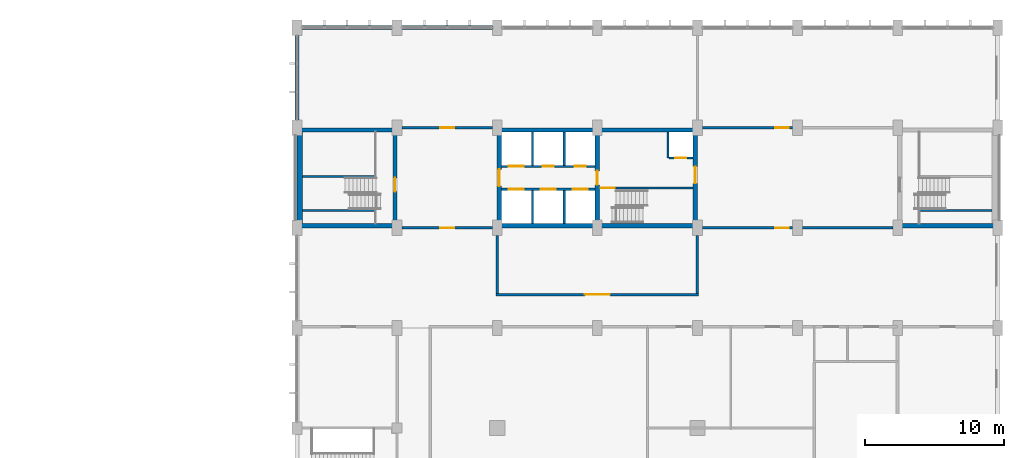
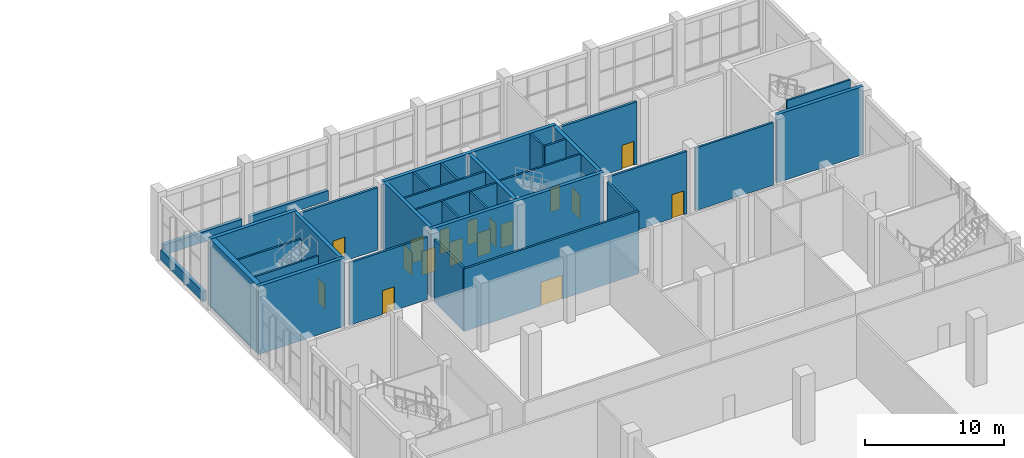
# One storey, part 36 of 44: 33 walls, 17 doors, 17 openings.
"""IFC4 building model written with IfcOpenShell, lengths in metres."""

from ifc_helpers import new_model, si_unit, direction, frame, frame_2d, origin, place, context, subcontext, project, spatial, rectangle, extrude, material, layer, layer_set, type_object, element, fill, save


model = new_model("IFC4")

# Units and contexts
model_context = context("Model", 3, precision=1e-05, world=origin(), true_north=direction((0.0, 1.0)))
body_context = subcontext(model_context, "Body", "Model", "MODEL_VIEW")
ifc_project = project(units=[si_unit("LENGTHUNIT", "METRE"), si_unit("AREAUNIT", "SQUARE_METRE"), si_unit("VOLUMEUNIT", "CUBIC_METRE"), si_unit("PLANEANGLEUNIT", "RADIAN"), si_unit("MASSUNIT", "GRAM", prefix="KILO")], contexts=[model_context])

# Site, building, storey
site_placement = place(None, origin())
site = spatial("IfcSite", under=ifc_project, at=site_placement, CompositionType="ELEMENT")
building_placement = place(site_placement, origin())
building = spatial("IfcBuilding", under=site, at=building_placement, Name="Vermilion Court Aquatics Centre", CompositionType="ELEMENT")
storey_placement = place(building_placement, frame((0.0, 0.0, 6.0)))
storey = spatial("IfcBuildingStorey", under=building, at=storey_placement, Name="L01", CompositionType="ELEMENT", Elevation=6.0)

# Walls
ifc_material_1 = material(Name="Concrete 8000 psi", Category="concrete")
ifc_layer_1 = layer(ifc_material_1, 0.39990234375)
ifc_layer_set_1 = layer_set([ifc_layer_1], Name="North block core brick-faced shear wall 400")
wall_type_1 = type_object("IfcWallType", Name="North block core brick-faced shear wall 400", PredefinedType="SHEAR", material=ifc_layer_set_1)
wall_1_placement = place(storey_placement, frame((144.199951171875, 101.10009765625, 0.0), z_axis=(0.0, 0.0, 1.0), x_axis=(0.0, 1.0, 0.0)))
element("IfcWall", 1, at=wall_1_placement, inside=storey, type_object=wall_type_1, Name="Stair 1 shear wall outer L01", PredefinedType="SHEAR", context=body_context, shape_type="SweptSolid", body=[
    extrude(rectangle(XDim=6.599853515625, YDim=0.39990234375, at=frame_2d((3.2998046875, 0.0))), origin(), (0.0, 0.0, 1.0), 6.0),
])
ifc_material_2 = material(Name="Concrete 8000 psi", Category="concrete")
ifc_layer_2 = layer(ifc_material_2, 0.300048828125)
ifc_layer_set_2 = layer_set([ifc_layer_2], Name="North block core shear wall 300")
wall_type_2 = type_object("IfcWallType", Name="North block core shear wall 300", PredefinedType="SHEAR", material=ifc_layer_set_2)
for number, where, z_axis, x_axis, name in (
    (2, (158.39990234375, 100.949951171875, 0.0), (0.0, 0.0, 1.0), (1.0, 0.0, 0.0), "Core shear wall south L01"),
    (3, (158.39990234375, 107.85009765625, 0.0), (0.0, 0.0, 1.0), (1.0, 0.0, 0.0), "Core shear wall north L01"),
):
    element("IfcWall", number, at=place(storey_placement, frame(where, z_axis=z_axis, x_axis=x_axis)), inside=storey, type_object=wall_type_2, Name=name, PredefinedType="SHEAR", context=body_context, shape_type="SweptSolid", body=[
        extrude(rectangle(XDim=14.400146484375, YDim=0.300048828125, at=frame_2d((7.2001953125, 0.0))), origin(), (0.0, 0.0, 1.0), 6.0),
    ])

# Wall, opening, door
wall_2_placement = place(storey_placement, frame((158.550048828125, 101.10009765625, 0.0), z_axis=(0.0, 0.0, 1.0), x_axis=(0.0, 1.0, 0.0)))
wall_2 = element("IfcWall", 4, at=wall_2_placement, inside=storey, type_object=wall_type_2, Name="Core shear wall west L01", PredefinedType="SHEAR", context=body_context, shape_type="SweptSolid", body=[
    extrude(rectangle(XDim=6.599853515625, YDim=0.300048828125, at=frame_2d((3.2998046875, 0.0))), origin(), (0.0, 0.0, 1.0), 6.0),
])
opening_1_placement = place(wall_2_placement, frame((2.699951171875, 0.0, 0.0)))
opening_1 = element("IfcOpeningElement", 5, at=opening_1_placement, cuts=wall_2, Name="Opening U01-003", PredefinedType="OPENING", context=body_context, shape_type="SweptSolid", body=[
    extrude(rectangle(XDim=1.199951171875, YDim=2.10009765625, at=frame_2d((0.60009765625, 1.050048828125))), frame((0.0, 0.159912109375, 0.0), z_axis=(0.0, -1.0, 0.0), x_axis=(1.0, 0.0, 0.0)), (0.0, 0.0, 1.0), 0.320068359375),
])
ifc_material_3 = material(Name="Hollow metal")
door_type_1 = type_object("IfcDoorType", Name="North block fire door FD90 1200x2100", OperationType="NOTDEFINED", PredefinedType="DOOR", material=ifc_material_3)
door_1_placement = place(opening_1_placement, origin())
door_1 = element("IfcDoor", 6, at=door_1_placement, inside=storey, type_object=door_type_1, Name="Core lobby door west L01", OperationType="SINGLE_SWING_LEFT", OverallHeight=2.10009765625, OverallWidth=1.199951171875, PredefinedType="DOOR", context=body_context, shape_type="SweptSolid", body=[
    extrude(rectangle(XDim=1.199951171875, YDim=2.10009765625, at=frame_2d((0.60009765625, 1.050048828125))), frame((0.0, 0.02490234375, 0.0), z_axis=(0.0, -1.0, 0.0), x_axis=(1.0, 0.0, 0.0)), (0.0, 0.0, 1.0), 0.050048828125),
])
fill(opening_1, door_1)

wall_3_placement = place(storey_placement, frame((165.60009765625, 101.10009765625, 0.0), z_axis=(0.0, 0.0, 1.0), x_axis=(0.0, 1.0, 0.0)))
wall_3 = element("IfcWall", 7, at=wall_3_placement, inside=storey, type_object=wall_type_2, Name="Core shear wall cross L01", PredefinedType="SHEAR", context=body_context, shape_type="SweptSolid", body=[
    extrude(rectangle(XDim=6.599853515625, YDim=0.300048828125, at=frame_2d((3.2998046875, 0.0))), origin(), (0.0, 0.0, 1.0), 6.0),
])
opening_2_placement = place(wall_3_placement, frame((2.800048828125, 0.0, 0.0)))
opening_2 = element("IfcOpeningElement", 8, at=opening_2_placement, cuts=wall_3, Name="Opening U01-004", PredefinedType="OPENING", context=body_context, shape_type="SweptSolid", body=[
    extrude(rectangle(XDim=1.0, YDim=2.10009765625, at=frame_2d((0.5, 1.050048828125))), frame((0.0, 0.159912109375, 0.0), z_axis=(0.0, -1.0, 0.0), x_axis=(1.0, 0.0, 0.0)), (0.0, 0.0, 1.0), 0.320068359375),
])
ifc_material_4 = material(Name="Hollow metal")
door_type_2 = type_object("IfcDoorType", Name="North block fire door FD90 1000x2100", OperationType="NOTDEFINED", PredefinedType="DOOR", material=ifc_material_4)
door_2_placement = place(opening_2_placement, frame((1.0, 0.0, 0.0), z_axis=(0.0, 0.0, 1.0), x_axis=(-1.0, 0.0, 0.0)))
door_2 = element("IfcDoor", 9, at=door_2_placement, inside=storey, type_object=door_type_2, Name="Core cross door L01", OperationType="SINGLE_SWING_RIGHT", OverallHeight=2.10009765625, OverallWidth=1.0, PredefinedType="DOOR", context=body_context, shape_type="SweptSolid", body=[
    extrude(rectangle(XDim=1.0, YDim=2.10009765625, at=frame_2d((0.5, 1.050048828125))), frame((0.0, 0.025146484375, 0.0), z_axis=(0.0, -1.0, 0.0), x_axis=(1.0, 0.0, 0.0)), (0.0, 0.0, 1.0), 0.050048828125),
])
fill(opening_2, door_2)

wall_4_placement = place(storey_placement, frame((172.64990234375, 101.10009765625, 0.0), z_axis=(0.0, 0.0, 1.0), x_axis=(0.0, 1.0, 0.0)))
wall_4 = element("IfcWall", 10, at=wall_4_placement, inside=storey, type_object=wall_type_2, Name="Core shear wall east L01", PredefinedType="SHEAR", context=body_context, shape_type="SweptSolid", body=[
    extrude(rectangle(XDim=6.599853515625, YDim=0.300048828125, at=frame_2d((3.2998046875, 0.0))), origin(), (0.0, 0.0, 1.0), 6.0),
])
opening_3_placement = place(wall_4_placement, frame((2.89990234375, 0.0, 0.0)))
opening_3 = element("IfcOpeningElement", 11, at=opening_3_placement, cuts=wall_4, Name="Opening U01-005", PredefinedType="OPENING", context=body_context, shape_type="SweptSolid", body=[
    extrude(rectangle(XDim=1.199951171875, YDim=2.10009765625, at=frame_2d((0.60009765625, 1.050048828125))), frame((0.0, 0.159912109375, 0.0), z_axis=(0.0, -1.0, 0.0), x_axis=(1.0, 0.0, 0.0)), (0.0, 0.0, 1.0), 0.320068359375),
])
door_3_placement = place(opening_3_placement, origin())
door_3 = element("IfcDoor", 12, at=door_3_placement, inside=storey, type_object=door_type_1, Name="Core lobby door east L01", OperationType="SINGLE_SWING_LEFT", OverallHeight=2.10009765625, OverallWidth=1.199951171875, PredefinedType="DOOR", context=body_context, shape_type="SweptSolid", body=[
    extrude(rectangle(XDim=1.199951171875, YDim=2.10009765625, at=frame_2d((0.60009765625, 1.050048828125))), frame((0.0, 0.02490234375, 0.0), z_axis=(0.0, -1.0, 0.0), x_axis=(1.0, 0.0, 0.0)), (0.0, 0.0, 1.0), 0.050048828125),
])
fill(opening_3, door_3)

# Walls
for number, where, z_axis, x_axis, name in (
    (13, (144.0, 100.949951171875, 0.0), (0.0, 0.0, 1.0), (1.0, 0.0, 0.0), "Stair 1 shear wall south L01"),
    (14, (144.0, 107.85009765625, 0.0), (0.0, 0.0, 1.0), (1.0, 0.0, 0.0), "Stair 1 shear wall north L01"),
):
    element("IfcWall", number, at=place(storey_placement, frame(where, z_axis=z_axis, x_axis=x_axis)), inside=storey, type_object=wall_type_2, Name=name, PredefinedType="SHEAR", context=body_context, shape_type="SweptSolid", body=[
        extrude(rectangle(XDim=7.199951171875, YDim=0.300048828125, at=frame_2d((3.60009765625, 0.0))), origin(), (0.0, 0.0, 1.0), 6.0),
    ])

# Wall, opening, door
wall_5_placement = place(storey_placement, frame((151.050048828125, 101.10009765625, 0.0), z_axis=(0.0, 0.0, 1.0), x_axis=(0.0, 1.0, 0.0)))
wall_5 = element("IfcWall", 15, at=wall_5_placement, inside=storey, type_object=wall_type_2, Name="Stair 1 shear wall inner L01", PredefinedType="SHEAR", context=body_context, shape_type="SweptSolid", body=[
    extrude(rectangle(XDim=6.599853515625, YDim=0.300048828125, at=frame_2d((3.2998046875, 0.0))), origin(), (0.0, 0.0, 1.0), 6.0),
])
opening_4_placement = place(wall_5_placement, frame((2.300048828125, 0.0, 0.0)))
opening_4 = element("IfcOpeningElement", 16, at=opening_4_placement, cuts=wall_5, Name="Opening U01-008", PredefinedType="OPENING", context=body_context, shape_type="SweptSolid", body=[
    extrude(rectangle(XDim=1.0, YDim=2.10009765625, at=frame_2d((0.5, 1.050048828125))), frame((0.0, 0.159912109375, 0.0), z_axis=(0.0, -1.0, 0.0), x_axis=(1.0, 0.0, 0.0)), (0.0, 0.0, 1.0), 0.320068359375),
])
door_4_placement = place(opening_4_placement, origin())
door_4 = element("IfcDoor", 17, at=door_4_placement, inside=storey, type_object=door_type_2, Name="Stair 1 door L01", OperationType="SINGLE_SWING_LEFT", OverallHeight=2.10009765625, OverallWidth=1.0, PredefinedType="DOOR", context=body_context, shape_type="SweptSolid", body=[
    extrude(rectangle(XDim=1.0, YDim=2.10009765625, at=frame_2d((0.5, 1.050048828125))), frame((0.0, 0.02490234375, 0.0), z_axis=(0.0, -1.0, 0.0), x_axis=(1.0, 0.0, 0.0)), (0.0, 0.0, 1.0), 0.050048828125),
])
fill(opening_4, door_4)

# Walls
wall_6_placement = place(storey_placement, frame((194.39990234375, 100.949951171875, 0.0), z_axis=(0.0, 0.0, 1.0), x_axis=(-1.0, 0.0, 0.0)))
element("IfcWall", 18, at=wall_6_placement, inside=storey, type_object=wall_type_2, Name="Stair 2 shear wall south L01", PredefinedType="SHEAR", context=body_context, shape_type="SweptSolid", body=[
    extrude(rectangle(XDim=7.199951171875, YDim=0.300048828125, at=frame_2d((3.60009765625, 0.0))), origin(), (0.0, 0.0, 1.0), 6.0),
])
ifc_material_5 = material(Name="Concrete 5000 psi", Category="concrete")
ifc_layer_3 = layer(ifc_material_5, 0.14990234375)
ifc_layer_set_3 = layer_set([ifc_layer_3], Name="North block lift shaft partition 150")
wall_type_3 = type_object("IfcWallType", Name="North block lift shaft partition 150", PredefinedType="PARTITIONING", material=ifc_layer_set_3)
for number, where, z_axis, x_axis, name in (
    (19, (160.925048828125, 101.10009765625, 0.0), (0.0, 0.0, 1.0), (0.0, 1.0, 0.0), "Lift shaft wall S1 L01"),
    (20, (163.22509765625, 101.10009765625, 0.0), (0.0, 0.0, 1.0), (0.0, 1.0, 0.0), "Lift shaft wall S2 L01"),
    (21, (160.925048828125, 105.300048828125, 0.0), (0.0, 0.0, 1.0), (0.0, 1.0, 0.0), "Lift shaft wall N1 L01"),
    (22, (163.22509765625, 105.300048828125, 0.0), (0.0, 0.0, 1.0), (0.0, 1.0, 0.0), "Lift shaft wall N2 L01"),
):
    element("IfcWall", number, at=place(storey_placement, frame(where, z_axis=z_axis, x_axis=x_axis)), inside=storey, type_object=wall_type_3, Name=name, PredefinedType="PARTITIONING", context=body_context, shape_type="SweptSolid", body=[
        extrude(rectangle(XDim=2.39990234375, YDim=0.14990234375, at=frame_2d((1.199951171875, 0.0))), origin(), (0.0, 0.0, 1.0), 6.0),
    ])

# Wall, openings, doors
wall_7_placement = place(storey_placement, frame((158.699951171875, 103.574951171875, 0.0), z_axis=(0.0, 0.0, 1.0), x_axis=(1.0, 0.0, 0.0)))
wall_7 = element("IfcWall", 23, at=wall_7_placement, inside=storey, type_object=wall_type_3, Name="Lift shaft front wall S L01", PredefinedType="PARTITIONING", context=body_context, shape_type="SweptSolid", body=[
    extrude(rectangle(XDim=6.75, YDim=0.14990234375, at=frame_2d((3.375, 0.0))), origin(), (0.0, 0.0, 1.0), 6.0),
])
opening_5_placement = place(wall_7_placement, frame((0.52490234375, 0.0, 0.0)))
opening_5 = element("IfcOpeningElement", 24, at=opening_5_placement, cuts=wall_7, Name="Opening LD1-01", PredefinedType="OPENING", context=body_context, shape_type="SweptSolid", body=[
    extrude(rectangle(XDim=1.10009765625, YDim=2.10009765625, at=frame_2d((0.550048828125, 1.050048828125))), frame((0.0, 0.0849609375, 0.0), z_axis=(0.0, -1.0, 0.0), x_axis=(1.0, 0.0, 0.0)), (0.0, 0.0, 1.0), 0.169921875),
])
opening_6_placement = place(wall_7_placement, frame((2.824951171875, 0.0, 0.0)))
opening_6 = element("IfcOpeningElement", 25, at=opening_6_placement, cuts=wall_7, Name="Opening LD2-01", PredefinedType="OPENING", context=body_context, shape_type="SweptSolid", body=[
    extrude(rectangle(XDim=1.10009765625, YDim=2.10009765625, at=frame_2d((0.550048828125, 1.050048828125))), frame((0.0, 0.0849609375, 0.0), z_axis=(0.0, -1.0, 0.0), x_axis=(1.0, 0.0, 0.0)), (0.0, 0.0, 1.0), 0.169921875),
])
opening_7_placement = place(wall_7_placement, frame((5.125, 0.0, 0.0)))
opening_7 = element("IfcOpeningElement", 26, at=opening_7_placement, cuts=wall_7, Name="Opening LD3-01", PredefinedType="OPENING", context=body_context, shape_type="SweptSolid", body=[
    extrude(rectangle(XDim=1.10009765625, YDim=2.10009765625, at=frame_2d((0.550048828125, 1.050048828125))), frame((0.0, 0.0849609375, 0.0), z_axis=(0.0, -1.0, 0.0), x_axis=(1.0, 0.0, 0.0)), (0.0, 0.0, 1.0), 0.169921875),
])
ifc_material_6 = material(Name="Hollow metal")
door_type_3 = type_object("IfcDoorType", Name="North block lift landing door 1100x2100", OperationType="DOUBLE_DOOR_SLIDING", PredefinedType="DOOR", material=ifc_material_6)
door_5_placement = place(opening_5_placement, origin())
door_5 = element("IfcDoor", 27, at=door_5_placement, inside=storey, type_object=door_type_3, Name="Lift landing door L1 L01", OperationType="DOUBLE_DOOR_SLIDING", OverallHeight=2.10009765625, OverallWidth=1.10009765625, PredefinedType="DOOR", context=body_context, shape_type="SweptSolid", body=[
    extrude(rectangle(XDim=1.10009765625, YDim=2.10009765625, at=frame_2d((0.550048828125, 1.050048828125))), frame((0.0, 0.02490234375, 0.0), z_axis=(0.0, -1.0, 0.0), x_axis=(1.0, 0.0, 0.0)), (0.0, 0.0, 1.0), 0.050048828125),
])
fill(opening_5, door_5)
door_6_placement = place(opening_6_placement, origin())
door_6 = element("IfcDoor", 28, at=door_6_placement, inside=storey, type_object=door_type_3, Name="Lift landing door L2 L01", OperationType="DOUBLE_DOOR_SLIDING", OverallHeight=2.10009765625, OverallWidth=1.10009765625, PredefinedType="DOOR", context=body_context, shape_type="SweptSolid", body=[
    extrude(rectangle(XDim=1.10009765625, YDim=2.10009765625, at=frame_2d((0.550048828125, 1.050048828125))), frame((0.0, 0.02490234375, 0.0), z_axis=(0.0, -1.0, 0.0), x_axis=(1.0, 0.0, 0.0)), (0.0, 0.0, 1.0), 0.050048828125),
])
fill(opening_6, door_6)
door_7_placement = place(opening_7_placement, origin())
door_7 = element("IfcDoor", 29, at=door_7_placement, inside=storey, type_object=door_type_3, Name="Lift landing door L3 L01", OperationType="DOUBLE_DOOR_SLIDING", OverallHeight=2.10009765625, OverallWidth=1.10009765625, PredefinedType="DOOR", context=body_context, shape_type="SweptSolid", body=[
    extrude(rectangle(XDim=1.10009765625, YDim=2.10009765625, at=frame_2d((0.550048828125, 1.050048828125))), frame((0.0, 0.02490234375, 0.0), z_axis=(0.0, -1.0, 0.0), x_axis=(1.0, 0.0, 0.0)), (0.0, 0.0, 1.0), 0.050048828125),
])
fill(opening_7, door_7)

wall_8_placement = place(storey_placement, frame((158.699951171875, 105.22509765625, 0.0), z_axis=(0.0, 0.0, 1.0), x_axis=(1.0, 0.0, 0.0)))
wall_8 = element("IfcWall", 30, at=wall_8_placement, inside=storey, type_object=wall_type_3, Name="Lift shaft front wall N L01", PredefinedType="PARTITIONING", context=body_context, shape_type="SweptSolid", body=[
    extrude(rectangle(XDim=6.75, YDim=0.14990234375, at=frame_2d((3.375, 0.0))), origin(), (0.0, 0.0, 1.0), 6.0),
])
opening_8_placement = place(wall_8_placement, frame((0.52490234375, 0.0, 0.0)))
opening_8 = element("IfcOpeningElement", 31, at=opening_8_placement, cuts=wall_8, Name="Opening LD4-01", PredefinedType="OPENING", context=body_context, shape_type="SweptSolid", body=[
    extrude(rectangle(XDim=1.10009765625, YDim=2.10009765625, at=frame_2d((0.550048828125, 1.050048828125))), frame((0.0, 0.0849609375, 0.0), z_axis=(0.0, -1.0, 0.0), x_axis=(1.0, 0.0, 0.0)), (0.0, 0.0, 1.0), 0.169921875),
])
opening_9_placement = place(wall_8_placement, frame((2.97509765625, 0.0, 0.0)))
opening_9 = element("IfcOpeningElement", 32, at=opening_9_placement, cuts=wall_8, Name="Opening U01-001", PredefinedType="OPENING", context=body_context, shape_type="SweptSolid", body=[
    extrude(rectangle(XDim=0.800048828125, YDim=2.10009765625, at=frame_2d((0.39990234375, 1.050048828125))), frame((0.0, 0.0849609375, 0.0), z_axis=(0.0, -1.0, 0.0), x_axis=(1.0, 0.0, 0.0)), (0.0, 0.0, 1.0), 0.169921875),
])
opening_10_placement = place(wall_8_placement, frame((5.27490234375, 0.0, 0.0)))
opening_10 = element("IfcOpeningElement", 33, at=opening_10_placement, cuts=wall_8, Name="Opening U01-002", PredefinedType="OPENING", context=body_context, shape_type="SweptSolid", body=[
    extrude(rectangle(XDim=0.800048828125, YDim=2.10009765625, at=frame_2d((0.39990234375, 1.050048828125))), frame((0.0, 0.0849609375, 0.0), z_axis=(0.0, -1.0, 0.0), x_axis=(1.0, 0.0, 0.0)), (0.0, 0.0, 1.0), 0.169921875),
])
door_8_placement = place(opening_8_placement, origin())
door_8 = element("IfcDoor", 34, at=door_8_placement, inside=storey, type_object=door_type_3, Name="Lift landing door L4 L01", OperationType="DOUBLE_DOOR_SLIDING", OverallHeight=2.10009765625, OverallWidth=1.10009765625, PredefinedType="DOOR", context=body_context, shape_type="SweptSolid", body=[
    extrude(rectangle(XDim=1.10009765625, YDim=2.10009765625, at=frame_2d((0.550048828125, 1.050048828125))), frame((0.0, 0.02490234375, 0.0), z_axis=(0.0, -1.0, 0.0), x_axis=(1.0, 0.0, 0.0)), (0.0, 0.0, 1.0), 0.050048828125),
])
fill(opening_8, door_8)
ifc_material_7 = material(Name="Hollow metal")
door_type_4 = type_object("IfcDoorType", Name="North block riser door FD90 800x2100", OperationType="NOTDEFINED", PredefinedType="DOOR", material=ifc_material_7)
door_9_placement = place(opening_9_placement, frame((0.800048828125, 0.0, 0.0), z_axis=(0.0, 0.0, 1.0), x_axis=(-1.0, 0.0, 0.0)))
door_9 = element("IfcDoor", 35, at=door_9_placement, inside=storey, type_object=door_type_4, Name="Electrical Riser door L01", OperationType="SINGLE_SWING_RIGHT", OverallHeight=2.10009765625, OverallWidth=0.800048828125, PredefinedType="DOOR", context=body_context, shape_type="SweptSolid", body=[
    extrude(rectangle(XDim=0.800048828125, YDim=2.10009765625, at=frame_2d((0.400146484375, 1.050048828125))), frame((0.0, 0.025146484375, 0.0), z_axis=(0.0, -1.0, 0.0), x_axis=(1.0, 0.0, 0.0)), (0.0, 0.0, 1.0), 0.050048828125),
])
fill(opening_9, door_9)
door_10_placement = place(opening_10_placement, frame((0.800048828125, 0.0, 0.0), z_axis=(0.0, 0.0, 1.0), x_axis=(-1.0, 0.0, 0.0)))
door_10 = element("IfcDoor", 36, at=door_10_placement, inside=storey, type_object=door_type_4, Name="Plumbing Riser door L01", OperationType="SINGLE_SWING_LEFT", OverallHeight=2.10009765625, OverallWidth=0.800048828125, PredefinedType="DOOR", context=body_context, shape_type="SweptSolid", body=[
    extrude(rectangle(XDim=0.800048828125, YDim=2.10009765625, at=frame_2d((0.400146484375, 1.050048828125))), frame((0.0, 0.025146484375, 0.0), z_axis=(0.0, -1.0, 0.0), x_axis=(1.0, 0.0, 0.0)), (0.0, 0.0, 1.0), 0.050048828125),
])
fill(opening_10, door_10)

# Wall
wall_9_placement = place(storey_placement, frame((170.675048828125, 105.824951171875, 0.0), z_axis=(0.0, 0.0, 1.0), x_axis=(0.0, 1.0, 0.0)))
element("IfcWall", 37, at=wall_9_placement, inside=storey, type_object=wall_type_3, Name="Riser shaft wall west L01", PredefinedType="PARTITIONING", context=body_context, shape_type="SweptSolid", body=[
    extrude(rectangle(XDim=1.875, YDim=0.14990234375, at=frame_2d((0.9375, 0.0))), origin(), (0.0, 0.0, 1.0), 6.0),
])

# Wall, opening, door
wall_10_placement = place(storey_placement, frame((170.75, 105.824951171875, 0.0), z_axis=(0.0, 0.0, 1.0), x_axis=(1.0, 0.0, 0.0)))
wall_10 = element("IfcWall", 38, at=wall_10_placement, inside=storey, type_object=wall_type_3, Name="Riser shaft wall south L01", PredefinedType="PARTITIONING", context=body_context, shape_type="SweptSolid", body=[
    extrude(rectangle(XDim=1.75, YDim=0.14990234375, at=frame_2d((0.875, 0.0))), origin(), (0.0, 0.0, 1.0), 6.0),
])
opening_11_placement = place(wall_10_placement, frame((0.449951171875, 0.0, 0.0)))
opening_11 = element("IfcOpeningElement", 39, at=opening_11_placement, cuts=wall_10, Name="Opening U01-007", PredefinedType="OPENING", context=body_context, shape_type="SweptSolid", body=[
    extrude(rectangle(XDim=0.800048828125, YDim=2.10009765625, at=frame_2d((0.39990234375, 1.050048828125))), frame((0.0, 0.0849609375, 0.0), z_axis=(0.0, -1.0, 0.0), x_axis=(1.0, 0.0, 0.0)), (0.0, 0.0, 1.0), 0.169921875),
])
door_11_placement = place(opening_11_placement, origin())
door_11 = element("IfcDoor", 40, at=door_11_placement, inside=storey, type_object=door_type_4, Name="Riser door L01", OperationType="SINGLE_SWING_LEFT", OverallHeight=2.10009765625, OverallWidth=0.800048828125, PredefinedType="DOOR", context=body_context, shape_type="SweptSolid", body=[
    extrude(rectangle(XDim=0.800048828125, YDim=2.10009765625, at=frame_2d((0.39990234375, 1.050048828125))), frame((0.0, 0.02490234375, 0.0), z_axis=(0.0, -1.0, 0.0), x_axis=(1.0, 0.0, 0.0)), (0.0, 0.0, 1.0), 0.050048828125),
])
fill(opening_11, door_11)

ifc_material_8 = material(Name="Concrete 5000 psi", Category="concrete")
ifc_layer_4 = layer(ifc_material_8, 0.14990234375)
ifc_layer_set_4 = layer_set([ifc_layer_4], Name="North block stair lane wall 150")
wall_type_4 = type_object("IfcWallType", Name="North block stair lane wall 150", PredefinedType="SHEAR", material=ifc_layer_set_4)
wall_11_placement = place(storey_placement, frame((165.75, 103.675048828125, 0.0), z_axis=(0.0, 0.0, 1.0), x_axis=(1.0, 0.0, 0.0)))
wall_11 = element("IfcWall", 41, at=wall_11_placement, inside=storey, type_object=wall_type_4, Name="Stair 3 wall north L01", PredefinedType="SHEAR", context=body_context, shape_type="SweptSolid", body=[
    extrude(rectangle(XDim=6.75, YDim=0.14990234375, at=frame_2d((3.375, 0.0))), origin(), (0.0, 0.0, 1.0), 6.0),
])
opening_12_placement = place(wall_11_placement, frame((0.10009765625, 0.0, 0.0)))
opening_12 = element("IfcOpeningElement", 42, at=opening_12_placement, cuts=wall_11, Name="Opening U01-006", PredefinedType="OPENING", context=body_context, shape_type="SweptSolid", body=[
    extrude(rectangle(XDim=1.0, YDim=2.10009765625, at=frame_2d((0.5, 1.050048828125))), frame((0.0, 0.0849609375, 0.0), z_axis=(0.0, -1.0, 0.0), x_axis=(1.0, 0.0, 0.0)), (0.0, 0.0, 1.0), 0.169921875),
])
door_12_placement = place(opening_12_placement, frame((1.0, 0.0, 0.0), z_axis=(0.0, 0.0, 1.0), x_axis=(-1.0, 0.0, 0.0)))
door_12 = element("IfcDoor", 43, at=door_12_placement, inside=storey, type_object=door_type_2, Name="Stair 3 door L01", OperationType="SINGLE_SWING_RIGHT", OverallHeight=2.10009765625, OverallWidth=1.0, PredefinedType="DOOR", context=body_context, shape_type="SweptSolid", body=[
    extrude(rectangle(XDim=1.0, YDim=2.10009765625, at=frame_2d((0.5, 1.050048828125))), frame((0.0, 0.025146484375, 0.0), z_axis=(0.0, -1.0, 0.0), x_axis=(1.0, 0.0, 0.0)), (0.0, 0.0, 1.0), 0.050048828125),
])
fill(opening_12, door_12)

# Walls
for number, where, z_axis, x_axis, name in (
    (44, (144.39990234375, 102.054931640625, 0.0), (0.0, 0.0, 1.0), (1.0, 0.0, 0.0), "Stair 1 lane wall south L01"),
    (45, (144.39990234375, 104.5048828125, 0.0), (0.0, 0.0, 1.0), (1.0, 0.0, 0.0), "Stair 1 lane wall north L01"),
    (46, (188.699951171875, 102.054931640625, 0.0), (0.0, 0.0, 1.0), (1.0, 0.0, 0.0), "Stair 2 lane wall south L01"),
):
    element("IfcWall", number, at=place(storey_placement, frame(where, z_axis=z_axis, x_axis=x_axis)), inside=storey, type_object=wall_type_4, Name=name, PredefinedType="SHEAR", context=body_context, shape_type="SweptSolid", body=[
        extrude(rectangle(XDim=5.300048828125, YDim=0.14990234375, at=frame_2d((2.64990234375, 0.0))), origin(), (0.0, 0.0, 1.0), 6.0),
    ])
ifc_material_9 = material(Name="Concrete masonry ASTM C90 Type I", Category="masonry")
ifc_layer_5 = layer(ifc_material_9, 0.175048828125)
ifc_layer_set_5 = layer_set([ifc_layer_5], Name="Podium corridor wall 175, 1 hr")
wall_type_5 = type_object("IfcWallType", Name="Podium corridor wall 175, 1 hr", PredefinedType="PARTITIONING", material=ifc_layer_set_5)
for number, where, z_axis, x_axis, name in (
    (47, (158.39990234375, 96.08740234375, 0.0), (0.0, 0.0, 1.0), (0.0, 1.0, 0.0), "Corridor wall"),
    (48, (172.800048828125, 96.08740234375, 0.0), (0.0, 0.0, 1.0), (0.0, 1.0, 0.0), "Corridor wall"),
):
    element("IfcWall", number, at=place(storey_placement, frame(where, z_axis=z_axis, x_axis=x_axis)), inside=storey, type_object=wall_type_5, Name=name, PredefinedType="PARTITIONING", context=body_context, shape_type="SweptSolid", body=[
        extrude(rectangle(XDim=4.16259765625, YDim=0.175048828125, at=frame_2d((2.081298828125, 0.0))), origin(), (0.0, 0.0, 1.0), 5.5),
    ])

# Wall, opening, door
wall_12_placement = place(storey_placement, frame((151.550048828125, 100.800048828125, 0.0), z_axis=(0.0, 0.0, 1.0), x_axis=(1.0, 0.0, 0.0)))
wall_12 = element("IfcWall", 49, at=wall_12_placement, inside=storey, type_object=wall_type_5, Name="Corridor wall", PredefinedType="PARTITIONING", context=body_context, shape_type="SweptSolid", body=[
    extrude(rectangle(XDim=6.5, YDim=0.175048828125, at=frame_2d((3.25, 0.0))), origin(), (0.0, 0.0, 1.0), 5.5),
])
opening_13_placement = place(wall_12_placement, frame((2.75, 0.0, 0.0)))
opening_13 = element("IfcOpeningElement", 50, at=opening_13_placement, cuts=wall_12, Name="Opening P01-027", PredefinedType="OPENING", context=body_context, shape_type="SweptSolid", body=[
    extrude(rectangle(XDim=1.0, YDim=2.10009765625, at=frame_2d((0.5, 1.050048828125))), frame((0.0, 0.097412109375, 0.0), z_axis=(0.0, -1.0, 0.0), x_axis=(1.0, 0.0, 0.0)), (0.0, 0.0, 1.0), 0.195068359375),
])
ifc_material_10 = material(Name="Hollow metal")
door_type_5 = type_object("IfcDoorType", Name="Podium fire door leaf 1000x2100, 60 min", OperationType="NOTDEFINED", PredefinedType="DOOR", material=ifc_material_10)
door_13_placement = place(opening_13_placement, origin())
door_13 = element("IfcDoor", 51, at=door_13_placement, inside=storey, type_object=door_type_5, Name="Door", OperationType="SINGLE_SWING_RIGHT", OverallHeight=2.10009765625, OverallWidth=1.0, PredefinedType="DOOR", context=body_context, shape_type="SweptSolid", body=[
    extrude(rectangle(XDim=1.0, YDim=2.10009765625, at=frame_2d((0.5, 1.050048828125))), frame((0.0, 0.02490234375, 0.0), z_axis=(0.0, -1.0, 0.0), x_axis=(1.0, 0.0, 0.0)), (0.0, 0.0, 1.0), 0.050048828125),
])
fill(opening_13, door_13)

wall_13_placement = place(storey_placement, frame((173.14990234375, 100.800048828125, 0.0), z_axis=(0.0, 0.0, 1.0), x_axis=(1.0, 0.0, 0.0)))
wall_13 = element("IfcWall", 52, at=wall_13_placement, inside=storey, type_object=wall_type_5, Name="Corridor wall", PredefinedType="PARTITIONING", context=body_context, shape_type="SweptSolid", body=[
    extrude(rectangle(XDim=6.5, YDim=0.175048828125, at=frame_2d((3.25, 0.0))), origin(), (0.0, 0.0, 1.0), 5.5),
])
opening_14_placement = place(wall_13_placement, frame((5.234619140625, 0.0, 0.0)))
opening_14 = element("IfcOpeningElement", 53, at=opening_14_placement, cuts=wall_13, Name="Opening P01-028", PredefinedType="OPENING", context=body_context, shape_type="SweptSolid", body=[
    extrude(rectangle(XDim=1.0, YDim=2.10009765625, at=frame_2d((0.5, 1.050048828125))), frame((0.0, 0.097412109375, 0.0), z_axis=(0.0, -1.0, 0.0), x_axis=(1.0, 0.0, 0.0)), (0.0, 0.0, 1.0), 0.195068359375),
])
door_14_placement = place(opening_14_placement, origin())
door_14 = element("IfcDoor", 54, at=door_14_placement, inside=storey, type_object=door_type_5, Name="Door", OperationType="SINGLE_SWING_RIGHT", OverallHeight=2.10009765625, OverallWidth=1.0, PredefinedType="DOOR", context=body_context, shape_type="SweptSolid", body=[
    extrude(rectangle(XDim=1.0, YDim=2.10009765625, at=frame_2d((0.5, 1.050048828125))), frame((0.0, 0.02490234375, 0.0), z_axis=(0.0, -1.0, 0.0), x_axis=(1.0, 0.0, 0.0)), (0.0, 0.0, 1.0), 0.050048828125),
])
fill(opening_14, door_14)

# Wall
wall_14_placement = place(storey_placement, frame((180.35009765625, 100.800048828125, 0.0), z_axis=(0.0, 0.0, 1.0), x_axis=(1.0, 0.0, 0.0)))
element("IfcWall", 55, at=wall_14_placement, inside=storey, type_object=wall_type_5, Name="Corridor wall", PredefinedType="PARTITIONING", context=body_context, shape_type="SweptSolid", body=[
    extrude(rectangle(XDim=6.5, YDim=0.175048828125, at=frame_2d((3.25, 0.0))), origin(), (0.0, 0.0, 1.0), 5.5),
])

# Wall, opening, door
wall_15_placement = place(storey_placement, frame((158.3125, 96.0, 0.0), z_axis=(0.0, 0.0, 1.0), x_axis=(1.0, 0.0, 0.0)))
wall_15 = element("IfcWall", 56, at=wall_15_placement, inside=storey, type_object=wall_type_5, Name="Corridor wall", PredefinedType="PARTITIONING", context=body_context, shape_type="SweptSolid", body=[
    extrude(rectangle(XDim=14.574951171875, YDim=0.175048828125, at=frame_2d((7.28759765625, 0.0))), origin(), (0.0, 0.0, 1.0), 5.5),
])
opening_15_placement = place(wall_15_placement, frame((6.387451171875, 0.0, 0.0)))
opening_15 = element("IfcOpeningElement", 57, at=opening_15_placement, cuts=wall_15, Name="Opening P01-031", PredefinedType="OPENING", context=body_context, shape_type="SweptSolid", body=[
    extrude(rectangle(XDim=1.800048828125, YDim=2.10009765625, at=frame_2d((0.89990234375, 1.050048828125))), frame((0.0, 0.097412109375, 0.0), z_axis=(0.0, -1.0, 0.0), x_axis=(1.0, 0.0, 0.0)), (0.0, 0.0, 1.0), 0.195068359375),
])
ifc_material_11 = material(Name="Hollow metal")
door_type_6 = type_object("IfcDoorType", Name="Podium fire door pair 1800x2100, 60 min", OperationType="DOUBLE_DOOR_SINGLE_SWING", PredefinedType="DOOR", material=ifc_material_11)
door_15_placement = place(opening_15_placement, origin())
door_15 = element("IfcDoor", 58, at=door_15_placement, inside=storey, type_object=door_type_6, Name="Door", OperationType="DOUBLE_DOOR_SINGLE_SWING", OverallHeight=2.10009765625, OverallWidth=1.800048828125, PredefinedType="DOOR", context=body_context, shape_type="SweptSolid", body=[
    extrude(rectangle(XDim=1.800048828125, YDim=2.10009765625, at=frame_2d((0.89990234375, 1.050048828125))), frame((0.0, 0.02490234375, 0.0), z_axis=(0.0, -1.0, 0.0), x_axis=(1.0, 0.0, 0.0)), (0.0, 0.0, 1.0), 0.050048828125),
])
fill(opening_15, door_15)

# Walls
ifc_material_12 = material(Name="Brick masonry", Category="masonry")
ifc_layer_6 = layer(ifc_material_12, 0.300048828125)
ifc_layer_set_6 = layer_set([ifc_layer_6], Name="Podium facade brick wall 300")
wall_type_6 = type_object("IfcWallType", Name="Podium facade brick wall 300", PredefinedType="SOLIDWALL", material=ifc_layer_set_6)
for number, where, z_axis, x_axis, name in (
    (59, (144.35009765625, 115.199951171875, 0.0), (0.0, 0.0, 1.0), (1.0, 0.0, 0.0), "Facade sill wall L01"),
    (60, (151.550048828125, 115.199951171875, 0.0), (0.0, 0.0, 1.0), (1.0, 0.0, 0.0), "Facade sill wall L01"),
):
    element("IfcWall", number, at=place(storey_placement, frame(where, z_axis=z_axis, x_axis=x_axis)), inside=storey, type_object=wall_type_6, Name=name, PredefinedType="SOLIDWALL", context=body_context, shape_type="SweptSolid", body=[
        extrude(rectangle(XDim=6.5, YDim=0.300048828125, at=frame_2d((3.25, 0.0))), origin(), (0.0, 0.0, 1.0), 0.89990234375),
    ])
wall_16_placement = place(storey_placement, frame((144.0, 108.550048828125, 0.0), z_axis=(0.0, 0.0, 1.0), x_axis=(0.0, 1.0, 0.0)))
element("IfcWall", 61, at=wall_16_placement, inside=storey, type_object=wall_type_6, Name="Facade sill wall L01", PredefinedType="SOLIDWALL", context=body_context, shape_type="SweptSolid", body=[
    extrude(rectangle(XDim=6.099853515625, YDim=0.300048828125, at=frame_2d((3.0498046875, 0.0))), origin(), (0.0, 0.0, 1.0), 0.89990234375),
])

# Wall, opening, door
ifc_material_13 = material(Name="Concrete masonry ASTM C90 Type I", Category="masonry")
ifc_layer_7 = layer(ifc_material_13, 0.199951171875)
ifc_layer_set_7 = layer_set([ifc_layer_7], Name="Podium fire-rated partition 200, 1 hr")
wall_type_7 = type_object("IfcWallType", Name="Podium fire-rated partition 200, 1 hr", PredefinedType="PARTITIONING", material=ifc_layer_set_7)
wall_17_placement = place(storey_placement, frame((151.550048828125, 108.0, 0.0), z_axis=(0.0, 0.0, 1.0), x_axis=(1.0, 0.0, 0.0)))
wall_17 = element("IfcWall", 62, at=wall_17_placement, inside=storey, type_object=wall_type_7, Name="Fire-rated partition", PredefinedType="PARTITIONING", context=body_context, shape_type="SweptSolid", body=[
    extrude(rectangle(XDim=6.5, YDim=0.199951171875, at=frame_2d((3.25, 0.0))), origin(), (0.0, 0.0, 1.0), 5.5),
])
opening_16_placement = place(wall_17_placement, frame((2.75, 0.0, 0.0)))
opening_16 = element("IfcOpeningElement", 63, at=opening_16_placement, cuts=wall_17, Name="Opening P01-029", PredefinedType="OPENING", context=body_context, shape_type="SweptSolid", body=[
    extrude(rectangle(XDim=1.0, YDim=2.10009765625, at=frame_2d((0.5, 1.050048828125))), frame((0.0, 0.10986328125, 0.0), z_axis=(0.0, -1.0, 0.0), x_axis=(1.0, 0.0, 0.0)), (0.0, 0.0, 1.0), 0.219970703125),
])
door_16_placement = place(opening_16_placement, origin())
door_16 = element("IfcDoor", 64, at=door_16_placement, inside=storey, type_object=door_type_5, Name="Door", OperationType="SINGLE_SWING_LEFT", OverallHeight=2.10009765625, OverallWidth=1.0, PredefinedType="DOOR", context=body_context, shape_type="SweptSolid", body=[
    extrude(rectangle(XDim=1.0, YDim=2.10009765625, at=frame_2d((0.5, 1.050048828125))), frame((0.0, 0.02490234375, 0.0), z_axis=(0.0, -1.0, 0.0), x_axis=(1.0, 0.0, 0.0)), (0.0, 0.0, 1.0), 0.050048828125),
])
fill(opening_16, door_16)

wall_18_placement = place(storey_placement, frame((173.14990234375, 108.0, 0.0), z_axis=(0.0, 0.0, 1.0), x_axis=(1.0, 0.0, 0.0)))
wall_18 = element("IfcWall", 65, at=wall_18_placement, inside=storey, type_object=wall_type_7, Name="Fire-rated partition", PredefinedType="PARTITIONING", context=body_context, shape_type="SweptSolid", body=[
    extrude(rectangle(XDim=6.5, YDim=0.199951171875, at=frame_2d((3.25, 0.0))), origin(), (0.0, 0.0, 1.0), 5.5),
])
opening_17_placement = place(wall_18_placement, frame((5.234619140625, 0.0, 0.0)))
opening_17 = element("IfcOpeningElement", 66, at=opening_17_placement, cuts=wall_18, Name="Opening P01-030", PredefinedType="OPENING", context=body_context, shape_type="SweptSolid", body=[
    extrude(rectangle(XDim=1.0, YDim=2.10009765625, at=frame_2d((0.5, 1.050048828125))), frame((0.0, 0.10986328125, 0.0), z_axis=(0.0, -1.0, 0.0), x_axis=(1.0, 0.0, 0.0)), (0.0, 0.0, 1.0), 0.219970703125),
])
door_17_placement = place(opening_17_placement, frame((1.0, 0.0, 0.0), z_axis=(0.0, 0.0, 1.0), x_axis=(-1.0, 0.0, 0.0)))
door_17 = element("IfcDoor", 67, at=door_17_placement, inside=storey, type_object=door_type_5, Name="Door", OperationType="SINGLE_SWING_LEFT", OverallHeight=2.10009765625, OverallWidth=1.0, PredefinedType="DOOR", context=body_context, shape_type="SweptSolid", body=[
    extrude(rectangle(XDim=1.0, YDim=2.10009765625, at=frame_2d((0.5, 1.050048828125))), frame((0.0, 0.025146484375, 0.0), z_axis=(0.0, -1.0, 0.0), x_axis=(1.0, 0.0, 0.0)), (0.0, 0.0, 1.0), 0.050048828125),
])
fill(opening_17, door_17)

save(model, "model.ifc")
